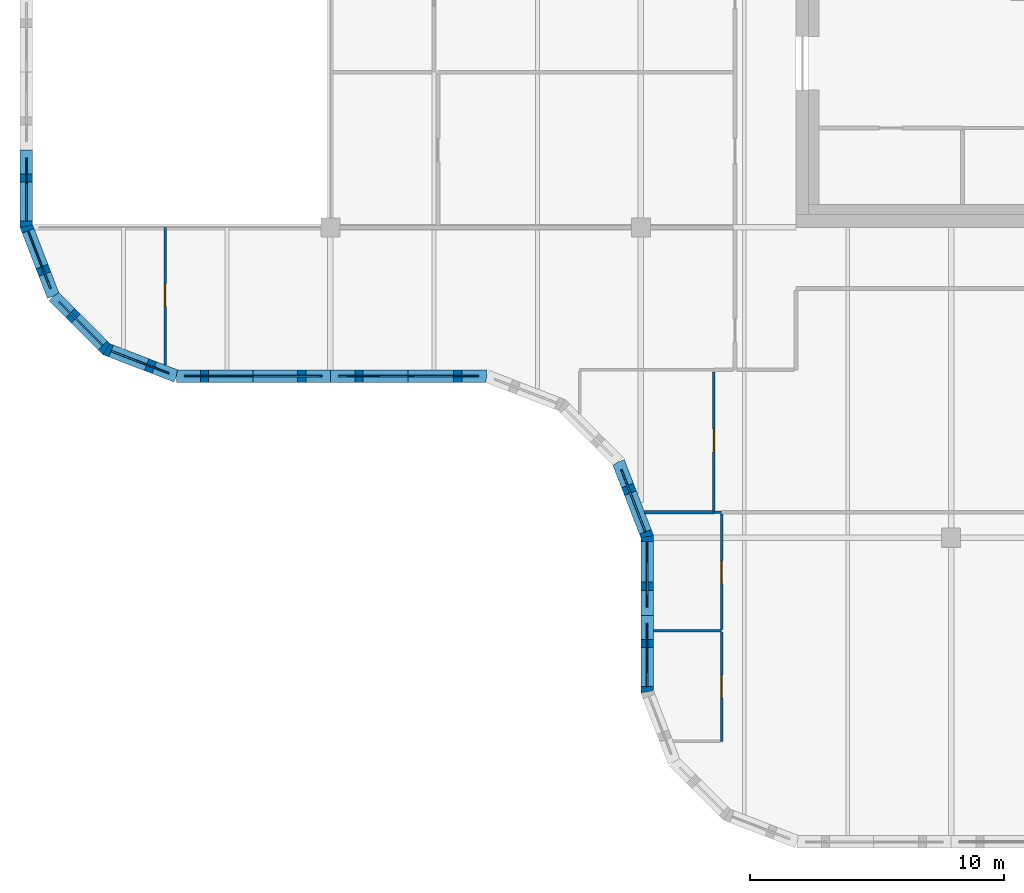
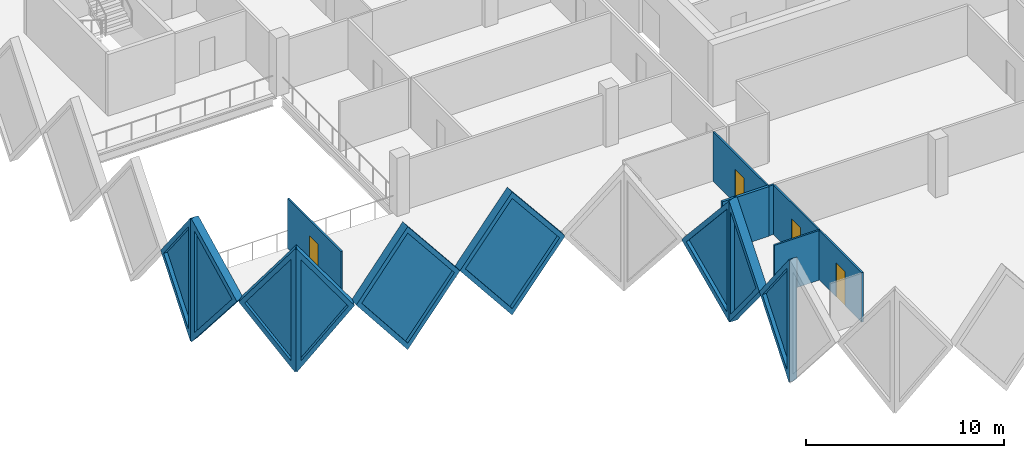
# One storey, part 3 of 12: 16 walls, 9 plates, 4 doors, 13 openings.
"""IFC4 building model written with IfcOpenShell, lengths in metres."""

import ifcopenshell
import ifcopenshell.guid

model = None  # the IFC model being written
_history = None  # IfcOwnerHistory: only IFC2X3 demands one
_inside = {}  # id of a spatial element -> (the spatial element, [elements in it])
_under = {}  # id of a project, library or spatial element -> (it, [spatial elements below it])
_declared = {}  # id of a project -> (the project, [libraries it declares])
_typed = {}  # id of a type object -> (the type object, [elements of that type])
_made_of = {}  # id of a material, layer set ... -> (it, [elements and type objects made of it])


def new_model(schema):
    """Start an empty IFC model of exactly this schema.

    Asked for "IFC4X3", IfcOpenShell would pick the latest addendum, in which some entities
    have other attributes; the version numbers below select the first issue.
    IFC2X3 requires an IfcOwnerHistory on every rooted entity: one is made here for all.
    """
    global model, _history
    if schema == "IFC4X3":
        model = ifcopenshell.file(schema_version=(4, 3, 0, 0))
    else:
        model = ifcopenshell.file(schema=schema)
    _inside.clear()
    _under.clear()
    _declared.clear()
    _typed.clear()
    _made_of.clear()
    _history = None
    if model.schema == "IFC2X3":
        org = make("IfcOrganization", Name="unknown")
        user = make(
            "IfcPersonAndOrganization",
            ThePerson=make("IfcPerson", FamilyName="unknown"),
            TheOrganization=org,
        )
        app = make(
            "IfcApplication",
            ApplicationDeveloper=org,
            Version="unknown",
            ApplicationFullName="unknown",
            ApplicationIdentifier="unknown",
        )
        _history = make(
            "IfcOwnerHistory",
            OwningUser=user,
            OwningApplication=app,
            ChangeAction="ADDED",
            CreationDate=0,
        )
    return model


def make(cls, **values):
    """One entity of the class cls with the attributes given. An attribute that is None is left unset."""
    return model.create_entity(
        cls, **{name: value for name, value in values.items() if value is not None}
    )


def rooted(cls, **values):
    """An entity with a GlobalId (a new one), such as an element, a storey or a relation."""
    return make(cls, GlobalId=ifcopenshell.guid.new(), OwnerHistory=_history, **values)


def si_unit(unit_type, name, prefix=None):
    """IfcSIUnit, for example si_unit("LENGTHUNIT", "METRE", prefix="MILLI")."""
    return make("IfcSIUnit", UnitType=unit_type, Prefix=prefix, Name=name)


def assignment(units):
    """IfcUnitAssignment: the units of a project."""
    return None if units is None else make("IfcUnitAssignment", Units=units)


def point(xyz):
    """IfcCartesianPoint."""
    return None if xyz is None else make("IfcCartesianPoint", Coordinates=xyz)


def direction(xyz):
    """IfcDirection."""
    return None if xyz is None else make("IfcDirection", DirectionRatios=xyz)


def frame(location, z_axis=None, x_axis=None):
    """IfcAxis2Placement3D, a coordinate frame: its origin and axes. An axis left out is left unset."""
    return make(
        "IfcAxis2Placement3D",
        Location=point(location),
        Axis=direction(z_axis),
        RefDirection=direction(x_axis),
    )


def frame_2d(location, x_axis=None):
    """IfcAxis2Placement2D, a coordinate frame in the plane: its origin and x axis."""
    return make(
        "IfcAxis2Placement2D", Location=point(location), RefDirection=direction(x_axis)
    )


def origin():
    """The frame at (0, 0, 0) with its axes left unset."""
    return frame((0.0, 0.0, 0.0))


def place(relative_to, where):
    """IfcLocalPlacement: puts the frame where relative to a parent placement (None: the world)."""
    return make(
        "IfcLocalPlacement", PlacementRelTo=relative_to, RelativePlacement=where
    )


def context(
    kind, dimensions, precision=None, world=None, true_north=None, identifier=None
):
    """IfcGeometricRepresentationContext, for example the 3D "Model" context."""
    return make(
        "IfcGeometricRepresentationContext",
        ContextIdentifier=identifier,
        ContextType=kind,
        CoordinateSpaceDimension=dimensions,
        Precision=precision,
        WorldCoordinateSystem=world,
        TrueNorth=true_north,
    )


def subcontext(parent, identifier, kind, view, scale=None):
    """IfcGeometricRepresentationSubContext, for example "Body" below "Model"."""
    return make(
        "IfcGeometricRepresentationSubContext",
        ContextIdentifier=identifier,
        ContextType=kind,
        ParentContext=parent,
        TargetScale=scale,
        TargetView=view,
    )


def project(units=None, contexts=None):
    """IfcProject with its units and contexts."""
    return rooted(
        "IfcProject",
        Name="project",
        RepresentationContexts=contexts,
        UnitsInContext=assignment(units),
    )


def spatial(cls, under=None, at=None, **own):
    """A site, building, storey or space (cls), placed at a placement, below another one or the project."""
    s = rooted(cls, ObjectPlacement=at, **own)
    if under is not None:
        _under.setdefault(under.id(), (under, []))[1].append(s)
    return s


def polyline(points):
    """IfcPolyline through the points."""
    return make("IfcPolyline", Points=[point(p) for p in points])


def profile(cls, at=None, kind="AREA", **sizes):
    """A parametric profile (cls). Its sizes go by their IFC names, for example OverallWidth=200.0."""
    return make(cls, ProfileType=kind, Position=at, **sizes)


def rectangle(**sizes):
    """IfcRectangleProfileDef."""
    return profile("IfcRectangleProfileDef", **sizes)


def outline(outer, holes=None, kind="AREA"):
    """IfcArbitraryClosedProfileDef: a profile drawn as a closed curve; with holes, ...WithVoids."""
    if holes is None:
        return make("IfcArbitraryClosedProfileDef", ProfileType=kind, OuterCurve=outer)
    return make(
        "IfcArbitraryProfileDefWithVoids",
        ProfileType=kind,
        OuterCurve=outer,
        InnerCurves=holes,
    )


def extrude(swept, where, along, depth):
    """IfcExtrudedAreaSolid: the profile swept, set in the frame where, extruded along a direction by depth."""
    return make(
        "IfcExtrudedAreaSolid",
        SweptArea=swept,
        Position=where,
        ExtrudedDirection=direction(along),
        Depth=depth,
    )


def faces_of(points, faces, orient=None, outer=None):
    """IfcFace entities. A face is a list of loops; a loop is a list of indices into points, from 0.

    orient and outer hold one flag for each loop. By default every Orientation is true, the
    first loop of a face is its IfcFaceOuterBound and the others are IfcFaceBound.
    """
    made = []
    for i, loops in enumerate(faces):
        bounds = []
        for j, loop in enumerate(loops):
            is_outer = j == 0 if outer is None else outer[i][j]
            bounds.append(
                make(
                    "IfcFaceOuterBound" if is_outer else "IfcFaceBound",
                    Bound=make("IfcPolyLoop", Polygon=[points[k] for k in loop]),
                    Orientation=True if orient is None else orient[i][j],
                )
            )
        made.append(make("IfcFace", Bounds=bounds))
    return made


def faceted_brep(points, faces, orient=None, outer=None, voids=None):
    """IfcFacetedBrep: a solid bounded by flat faces; with voids (closed shells), ...WithVoids."""
    shared = [point(p) for p in points]
    hull = make("IfcClosedShell", CfsFaces=faces_of(shared, faces, orient, outer))
    if voids is None:
        return make("IfcFacetedBrep", Outer=hull)
    return make(
        "IfcFacetedBrepWithVoids",
        Outer=hull,
        Voids=[
            make(cls, CfsFaces=faces_of(shared, fs, o, b)) for cls, fs, o, b in voids
        ],
    )


def shape(context_of_items, identifier, shape_type, items):
    """IfcShapeRepresentation: the items that make up one representation, for example the "Body"."""
    return make(
        "IfcShapeRepresentation",
        ContextOfItems=context_of_items,
        RepresentationIdentifier=identifier,
        RepresentationType=shape_type,
        Items=items,
    )


def source(mapping_origin, context_of_items, identifier, shape_type, items):
    """IfcRepresentationMap: a shape defined once, which mapped items show again and again."""
    return make(
        "IfcRepresentationMap",
        MappingOrigin=mapping_origin,
        MappedRepresentation=shape(context_of_items, identifier, shape_type, items),
    )


def transform(
    local_origin,
    x_axis=None,
    y_axis=None,
    z_axis=None,
    scale=None,
    scale2=None,
    scale3=None,
    uniform=True,
):
    """IfcCartesianTransformationOperator3D, or its non-uniform kind. x_axis, y_axis, z_axis: its Axis1, 2, 3."""
    if uniform:
        return make(
            "IfcCartesianTransformationOperator3D",
            Axis1=direction(x_axis),
            Axis2=direction(y_axis),
            LocalOrigin=point(local_origin),
            Scale=scale,
            Axis3=direction(z_axis),
        )
    return make(
        "IfcCartesianTransformationOperator3DnonUniform",
        Axis1=direction(x_axis),
        Axis2=direction(y_axis),
        LocalOrigin=point(local_origin),
        Scale=scale,
        Axis3=direction(z_axis),
        Scale2=scale2,
        Scale3=scale3,
    )


def mapped(mapping_source, mapping_target):
    """IfcMappedItem: shows the shape of a source again, moved by a transform."""
    return make(
        "IfcMappedItem", MappingSource=mapping_source, MappingTarget=mapping_target
    )


def material(Name=None, Category=None):
    """IfcMaterial."""
    return make("IfcMaterial", Name=Name, Category=Category)


def layer(
    of_material, thickness, ventilated=None, Name=None, Category=None, Priority=None
):
    """IfcMaterialLayer: one layer of a wall or slab, of a material (None: an air gap)."""
    return make(
        "IfcMaterialLayer",
        Material=of_material,
        LayerThickness=thickness,
        IsVentilated=ventilated,
        Name=Name,
        Category=Category,
        Priority=Priority,
    )


def layer_set(layers, Name=None):
    """IfcMaterialLayerSet."""
    return make("IfcMaterialLayerSet", MaterialLayers=layers, LayerSetName=Name)


def made_of(thing, what):
    """Note that an element or type object is made of a material, layer set ...; save() writes the relation."""
    if what is not None:
        _made_of.setdefault(what.id(), (what, []))[1].append(thing)
    return thing


def type_object(cls, material=None, **own):
    """A type object (cls), such as IfcWallType, which elements share."""
    return made_of(rooted(cls, **own), material)


def element(
    cls,
    number,
    at=None,
    inside=None,
    cuts=None,
    type_object=None,
    material=None,
    context=None,
    identifier="Body",
    shape_type=None,
    held_by="IfcProductDefinitionShape",
    body=None,
    shapes=None,
    **own,
):
    """One element of the class cls, such as IfcWall. Its Tag is "e" and its number.

    at: its placement. inside: the storey or other place that contains it. cuts: it is an
    opening in that element (IfcRelVoidsElement). A single representation is given by context,
    identifier, shape_type and body (its items); several are given by shapes. held_by: the class
    of the entity that holds the representations. save() writes the other relations.
    """
    e = rooted(cls, Tag="e%d" % number, ObjectPlacement=at, **own)
    if body is not None:
        shapes = [shape(context, identifier, shape_type, body)]
    if shapes is not None:
        e.Representation = make(held_by, Representations=shapes)
    if inside is not None:
        _inside.setdefault(inside.id(), (inside, []))[1].append(e)
    if cuts is not None:
        rooted(
            "IfcRelVoidsElement", RelatingBuildingElement=cuts, RelatedOpeningElement=e
        )
    if type_object is not None:
        _typed.setdefault(type_object.id(), (type_object, []))[1].append(e)
    return made_of(e, material)


def fill(opening, filler):
    """IfcRelFillsElement: the door or window that sits in an opening."""
    return rooted(
        "IfcRelFillsElement",
        RelatingOpeningElement=opening,
        RelatedBuildingElement=filler,
    )


def aggregate(whole, parts):
    """IfcRelAggregates: a whole, such as a stair, and the parts it consists of."""
    return rooted("IfcRelAggregates", RelatingObject=whole, RelatedObjects=parts)


def save(model, path):
    """Write the relations noted so far, then the file.

    IfcRelAggregates (storeys below a building ...), IfcRelContainedInSpatialStructure (elements
    in a storey), IfcRelDefinesByType, IfcRelAssociatesMaterial and IfcRelDeclares: one each for
    every whole, place, type object, material and project.
    """
    for whole, parts in _under.values():
        aggregate(whole, parts)
    for where, things in _inside.values():
        rooted(
            "IfcRelContainedInSpatialStructure",
            RelatedElements=things,
            RelatingStructure=where,
        )
    for kind, things in _typed.values():
        rooted("IfcRelDefinesByType", RelatedObjects=things, RelatingType=kind)
    for what, things in _made_of.values():
        rooted("IfcRelAssociatesMaterial", RelatedObjects=things, RelatingMaterial=what)
    for by, libraries in _declared.values():
        rooted("IfcRelDeclares", RelatingContext=by, RelatedDefinitions=libraries)
    model.write(path)


model = new_model("IFC4")

# Units and contexts
model_context = context("Model", 3, precision=1e-05, world=origin(), true_north=direction((0.0, 1.0)))
body_context = subcontext(model_context, "Body", "Model", "MODEL_VIEW")
ifc_project = project(units=[si_unit("LENGTHUNIT", "METRE"), si_unit("AREAUNIT", "SQUARE_METRE"), si_unit("VOLUMEUNIT", "CUBIC_METRE"), si_unit("PLANEANGLEUNIT", "RADIAN"), si_unit("MASSUNIT", "GRAM", prefix="KILO")], contexts=[model_context])

# Site, building, storey
site_placement = place(None, origin())
site = spatial("IfcSite", under=ifc_project, at=site_placement, CompositionType="ELEMENT")
building_placement = place(site_placement, origin())
building = spatial("IfcBuilding", under=site, at=building_placement, Name="Tessera Gate Towers", CompositionType="ELEMENT")
storey_placement = place(building_placement, frame((0.0, 0.0, 216.89990234375)))
storey = spatial("IfcBuildingStorey", under=building, at=storey_placement, Name="L54", CompositionType="ELEMENT", Elevation=216.89990234375)

# Wall, opening, door
ifc_material_1 = material(Name="Glass", Category="glass")
ifc_layer_1 = layer(ifc_material_1, 0.10009765625)
ifc_layer_set_1 = layer_set([ifc_layer_1], Name="GLAZED PARTITION 100")
wall_type_1 = type_object("IfcWallType", Name="GLAZED PARTITION 100", PredefinedType="PARTITIONING", material=ifc_layer_set_1)
wall_1_placement = place(storey_placement, frame((27.574951171875, 4.199951171875, 0.0), z_axis=(0.0, 0.0, 1.0), x_axis=(0.0, 1.0, 0.0)))
wall_1 = element("IfcWall", 1, at=wall_1_placement, inside=storey, type_object=wall_type_1, Name="T1-L54-PW-004", PredefinedType="PARTITIONING", context=body_context, shape_type="SweptSolid", body=[
    extrude(rectangle(XDim=4.296875, YDim=0.10009765625, at=frame_2d((2.1484375, 0.0))), origin(), (0.0, 0.0, 1.0), 3.067138671875),
])
shared_shape_1 = source(origin(), body_context, "Body", "SweptSolid", [
    extrude(rectangle(XDim=0.89990234375, YDim=2.10009765625, at=frame_2d((0.449951171875, 1.050048828125))), frame((0.0, 0.06005859375, 0.0), z_axis=(0.0, -1.0, 0.0), x_axis=(1.0, 0.0, 0.0)), (0.0, 0.0, 1.0), 0.1201171875),
])
opening_1_placement = place(wall_1_placement, frame((1.699951171875, 0.0, 0.0)))
opening_1 = element("IfcOpeningElement", 2, at=opening_1_placement, cuts=wall_1, Name="Opening D690-A19-05", PredefinedType="OPENING", context=body_context, shape_type="MappedRepresentation", body=[
    mapped(shared_shape_1, transform((0.0, 0.0, 0.0), scale=1.0)),
])
ifc_material_2 = material(Name="Glass in aluminium frame", Category="aluminium")
door_type = type_object("IfcDoorType", Name="GLAZED DOOR 900 NOT RATED", OperationType="NOTDEFINED", PredefinedType="DOOR", material=ifc_material_2)
shared_shape_2 = source(origin(), body_context, "Body", "SweptSolid", [
    extrude(rectangle(XDim=0.89990234375, YDim=2.10009765625, at=frame_2d((0.449951171875, 1.050048828125))), frame((0.0, 0.02490234375, 0.0), z_axis=(0.0, -1.0, 0.0), x_axis=(1.0, 0.0, 0.0)), (0.0, 0.0, 1.0), 0.050048828125),
])
door_1_placement = place(opening_1_placement, origin())
door_1 = element("IfcDoor", 3, at=door_1_placement, inside=storey, type_object=door_type, Name="T1-L54-PD-015", OperationType="SINGLE_SWING_LEFT", OverallHeight=2.10009765625, OverallWidth=0.89990234375, PredefinedType="DOOR", context=body_context, shape_type="MappedRepresentation", body=[
    mapped(shared_shape_2, transform((0.0, 0.0, 0.0), scale=1.0)),
])
fill(opening_1, door_1)

wall_2_placement = place(storey_placement, frame((27.574951171875, 8.598876953125, 0.0), z_axis=(0.0, 0.0, 1.0), x_axis=(0.0, 1.0, 0.0)))
wall_2 = element("IfcWall", 4, at=wall_2_placement, inside=storey, type_object=wall_type_1, Name="T1-L54-PW-009", PredefinedType="PARTITIONING", context=body_context, shape_type="SweptSolid", body=[
    extrude(rectangle(XDim=4.525146484375, YDim=0.10009765625, at=frame_2d((2.2626953125, 0.0))), origin(), (0.0, 0.0, 1.0), 3.067138671875),
])
opening_2_placement = place(wall_2_placement, frame((1.800048828125, 0.0, 0.0)))
opening_2 = element("IfcOpeningElement", 5, at=opening_2_placement, cuts=wall_2, Name="Opening D690-A19-01", PredefinedType="OPENING", context=body_context, shape_type="MappedRepresentation", body=[
    mapped(shared_shape_1, transform((0.0, 0.0, 0.0), scale=1.0)),
])
door_2_placement = place(opening_2_placement, origin())
door_2 = element("IfcDoor", 6, at=door_2_placement, inside=storey, type_object=door_type, Name="T1-L54-PD-003", OperationType="SINGLE_SWING_LEFT", OverallHeight=2.10009765625, OverallWidth=0.89990234375, PredefinedType="DOOR", context=body_context, shape_type="MappedRepresentation", body=[
    mapped(shared_shape_2, transform((0.0, 0.0, 0.0), scale=1.0)),
])
fill(opening_2, door_2)

# Wall
wall_3_placement = place(storey_placement, frame((27.27587890625, 13.199951171875, 0.0), z_axis=(0.0, 0.0, 1.0), x_axis=(1.0, 0.0, 0.0)))
element("IfcWall", 7, at=wall_3_placement, inside=storey, type_object=wall_type_1, Name="T1-L54-PW-014", PredefinedType="PARTITIONING", context=body_context, shape_type="SweptSolid", body=[
    extrude(rectangle(XDim=0.298095703125, YDim=0.10009765625, at=frame_2d((0.14892578125, 0.0))), origin(), (0.0, 0.0, 1.0), 3.067138671875),
])

# Wall, opening, door
wall_4_placement = place(storey_placement, frame((27.27490234375, 13.27587890625, 0.0), z_axis=(0.0, 0.0, 1.0), x_axis=(0.0, 1.0, 0.0)))
wall_4 = element("IfcWall", 8, at=wall_4_placement, inside=storey, type_object=wall_type_1, Name="T1-L54-PW-016", PredefinedType="PARTITIONING", context=body_context, shape_type="SweptSolid", body=[
    extrude(rectangle(XDim=5.4482421875, YDim=0.10009765625, at=frame_2d((2.72412109375, 0.0))), origin(), (0.0, 0.0, 1.0), 3.067138671875),
])
opening_3_placement = place(wall_4_placement, frame((2.300048828125, 0.0, 0.0)))
opening_3 = element("IfcOpeningElement", 9, at=opening_3_placement, cuts=wall_4, Name="Opening D690-A19-04", PredefinedType="OPENING", context=body_context, shape_type="MappedRepresentation", body=[
    mapped(shared_shape_1, transform((0.0, 0.0, 0.0), scale=1.0)),
])
door_3_placement = place(opening_3_placement, origin())
door_3 = element("IfcDoor", 10, at=door_3_placement, inside=storey, type_object=door_type, Name="T1-L54-PD-010", OperationType="SINGLE_SWING_LEFT", OverallHeight=2.10009765625, OverallWidth=0.89990234375, PredefinedType="DOOR", context=body_context, shape_type="MappedRepresentation", body=[
    mapped(shared_shape_2, transform((0.0, 0.0, 0.0), scale=1.0)),
])
fill(opening_3, door_3)

wall_5_placement = place(storey_placement, frame((5.699951171875, 18.990234375, 0.0), z_axis=(0.0, 0.0, 1.0), x_axis=(0.0, 1.0, 0.0)))
wall_5 = element("IfcWall", 11, at=wall_5_placement, inside=storey, type_object=wall_type_1, Name="T1-L54-PW-027", PredefinedType="PARTITIONING", context=body_context, shape_type="SweptSolid", body=[
    extrude(rectangle(XDim=5.40966796875, YDim=0.10009765625, at=frame_2d((2.704833984375, 0.0))), origin(), (0.0, 0.0, 1.0), 3.067138671875),
])
opening_4_placement = place(wall_5_placement, frame((2.300048828125, 0.0, 0.0)))
opening_4 = element("IfcOpeningElement", 12, at=opening_4_placement, cuts=wall_5, Name="Opening D690-A19-03", PredefinedType="OPENING", context=body_context, shape_type="MappedRepresentation", body=[
    mapped(shared_shape_1, transform((0.0, 0.0, 0.0), scale=1.0)),
])
door_4_placement = place(opening_4_placement, origin())
door_4 = element("IfcDoor", 13, at=door_4_placement, inside=storey, type_object=door_type, Name="T1-L54-PD-009", OperationType="SINGLE_SWING_LEFT", OverallHeight=2.10009765625, OverallWidth=0.89990234375, PredefinedType="DOOR", context=body_context, shape_type="MappedRepresentation", body=[
    mapped(shared_shape_2, transform((0.0, 0.0, 0.0), scale=1.0)),
])
fill(opening_4, door_4)

# Walls
ifc_material_3 = material(Name="Gypsum board on steel studs", Category="steel")
ifc_layer_2 = layer(ifc_material_3, 0.10009765625)
ifc_layer_set_2 = layer_set([ifc_layer_2], Name="PARTITION 100")
wall_type_2 = type_object("IfcWallType", Name="PARTITION 100", PredefinedType="PARTITIONING", material=ifc_layer_set_2)
wall_6_placement = place(storey_placement, frame((24.89990234375, 8.548095703125, 0.0), z_axis=(0.0, 0.0, 1.0), x_axis=(1.0, 0.0, 0.0)))
element("IfcWall", 14, at=wall_6_placement, inside=storey, type_object=wall_type_2, Name="T1-L54-PW-008", PredefinedType="PARTITIONING", context=body_context, shape_type="SweptSolid", body=[
    extrude(rectangle(XDim=2.675048828125, YDim=0.10009765625, at=frame_2d((1.33740234375, 0.0))), origin(), (0.0, 0.0, 1.0), 3.067138671875),
])
ifc_material_4 = material(Name="Gypsum board on steel studs, mineral wool", Category="steel")
ifc_layer_3 = layer(ifc_material_4, 0.14990234375)
ifc_layer_set_3 = layer_set([ifc_layer_3], Name="TENANCY WALL 150")
wall_type_3 = type_object("IfcWallType", Name="TENANCY WALL 150", PredefinedType="PARTITIONING", material=ifc_layer_set_3)
wall_7_placement = place(storey_placement, frame((24.55029296875, 13.199951171875, 0.0), z_axis=(0.0, 0.0, 1.0), x_axis=(1.0, 0.0, 0.0)))
element("IfcWall", 15, at=wall_7_placement, inside=storey, type_object=wall_type_3, Name="T1-L54-PW-013", PredefinedType="PARTITIONING", context=body_context, shape_type="SweptSolid", body=[
    extrude(rectangle(XDim=2.724609375, YDim=0.14990234375, at=frame_2d((1.3623046875, 0.0))), origin(), (0.0, 0.0, 1.0), 3.067138671875),
])

# Wall, opening, plate
ifc_material_5 = material(Name="Precast concrete C60/75 white", Category="concrete")
ifc_layer_4 = layer(ifc_material_5, 0.5)
ifc_layer_set_4 = layer_set([ifc_layer_4], Name="TS3 corner tessera")
wall_type_4 = type_object("IfcWallType", Name="TS3 corner tessera", PredefinedType="SOLIDWALL", material=ifc_layer_set_4)
shared_shape_3 = source(origin(), body_context, "Body", "Brep", [
    faceted_brep([(3.00341796875, -0.25, 0.0), (3.050048828125, -0.25, 0.06005859375), (3.050048828125, -0.25, 7.539794921875), (3.00341796875, -0.25, 7.599853515625), (0.0, -0.25, 3.7998046875), (0.0, 0.25, 3.7998046875), (2.956787109375, 0.25, 7.541015625), (2.956787109375, 0.25, 0.058837890625), (3.00341796875, 0.000244140625, 0.0), (3.00341796875, 0.000244140625, 7.599853515625)], [[[0, 1, 2, 3, 4]], [[5, 6, 7]], [[1, 0, 8]], [[9, 3, 2]], [[6, 5, 4, 3, 9]], [[5, 7, 8, 0, 4]], [[1, 8, 7, 6, 9, 2]]]),
])
wall_8_placement = place(storey_placement, frame((0.25, 27.449951171875, -3.7998046875), z_axis=(0.0, 0.0, 1.0), x_axis=(0.0, -1.0, 0.0)))
wall_8 = element("IfcWall", 16, at=wall_8_placement, inside=storey, type_object=wall_type_4, Name="Precast corner tessera T1 TS3-1261", PredefinedType="SOLIDWALL", context=body_context, shape_type="MappedRepresentation", body=[
    mapped(shared_shape_3, transform((0.0, 0.0, 0.0), scale=1.0)),
])
shared_shape_4 = source(origin(), body_context, "Body", "SweptSolid", [
    extrude(outline(polyline([(2.803466796875, 6.943603515625), (0.318603515625, 3.7998046875), (2.803466796875, 0.656005859375), (2.803466796875, 6.943603515625)])), frame((0.0, 0.260009765625, 0.0), z_axis=(0.0, -1.0, 0.0), x_axis=(1.0, 0.0, 0.0)), (0.0, 0.0, 1.0), 0.52001953125),
])
opening_5_placement = place(wall_8_placement, origin())
opening_5 = element("IfcOpeningElement", 17, at=opening_5_placement, cuts=wall_8, Name="Opening T1-PL2-1960", PredefinedType="OPENING", context=body_context, shape_type="MappedRepresentation", body=[
    mapped(shared_shape_4, transform((0.0, 0.0, 0.0), scale=1.0)),
])
ifc_material_6 = material(Name="Low-e laminated glass", Category="glass")
ifc_layer_5 = layer(ifc_material_6, 0.06005859375)
ifc_layer_set_5 = layer_set([ifc_layer_5], Name="PL2 rhombic pane")
plate_type = type_object("IfcPlateType", Name="PL2 rhombic pane", PredefinedType="SHEET", material=ifc_layer_set_5)
shared_shape_5 = source(origin(), body_context, "Body", "SweptSolid", [
    extrude(outline(polyline([(2.803466796875, 6.943603515625), (0.318603515625, 3.7998046875), (2.803466796875, 0.656005859375), (2.803466796875, 6.943603515625)])), frame((0.0, 0.030029296875, 0.0), z_axis=(0.0, -1.0, 0.0), x_axis=(1.0, 0.0, 0.0)), (0.0, 0.0, 1.0), 0.06005859375),
])
plate_1_placement = place(opening_5_placement, origin())
plate_1 = element("IfcPlate", 18, at=plate_1_placement, inside=storey, type_object=plate_type, Name="Glass pane T1 PL2-1960", PredefinedType="SHEET", context=body_context, shape_type="MappedRepresentation", body=[
    mapped(shared_shape_5, transform((0.0, 0.0, 0.0), scale=1.0)),
])
fill(opening_5, plate_1)

wall_9_placement = place(storey_placement, frame((24.64990234375, 9.14990234375, -3.7998046875), z_axis=(0.0, 0.0, 1.0), x_axis=(0.0, -1.0, 0.0)))
wall_9 = element("IfcWall", 19, at=wall_9_placement, inside=storey, type_object=wall_type_4, Name="Precast corner tessera T1 TS3-1269", PredefinedType="SOLIDWALL", context=body_context, shape_type="MappedRepresentation", body=[
    mapped(shared_shape_3, transform((0.0, 0.0, 0.0), scale=1.0)),
])
opening_6_placement = place(wall_9_placement, origin())
opening_6 = element("IfcOpeningElement", 20, at=opening_6_placement, cuts=wall_9, Name="Opening T1-PL2-1970", PredefinedType="OPENING", context=body_context, shape_type="MappedRepresentation", body=[
    mapped(shared_shape_4, transform((0.0, 0.0, 0.0), scale=1.0)),
])
plate_2_placement = place(opening_6_placement, origin())
plate_2 = element("IfcPlate", 21, at=plate_2_placement, inside=storey, type_object=plate_type, Name="Glass pane T1 PL2-1970", PredefinedType="SHEET", context=body_context, shape_type="MappedRepresentation", body=[
    mapped(shared_shape_5, transform((0.0, 0.0, 0.0), scale=1.0)),
])
fill(opening_6, plate_2)

shared_shape_6 = source(origin(), body_context, "Body", "Brep", [
    faceted_brep([(0.046630859375, -0.25, 0.0), (2.9970703125, -0.25, 3.7998046875), (0.046630859375, -0.25, 7.599853515625), (0.0, -0.25, 7.541015625), (0.0, -0.25, 0.058837890625), (0.09326171875, 0.25, 7.539794921875), (2.9443359375, 0.25, 3.867919921875), (2.9443359375, 0.25, 3.731689453125), (0.09326171875, 0.25, 0.06005859375), (2.9970703125, 0.00048828125, 3.7998046875), (0.046630859375, 0.0, 0.0), (0.046630859375, 0.0, 7.599853515625)], [[[0, 1, 2, 3, 4]], [[5, 6, 7, 8]], [[8, 7, 9, 1, 0, 10]], [[6, 5, 11, 2, 1, 9]], [[3, 2, 11]], [[10, 0, 4]], [[8, 10, 4, 3, 11, 5]], [[9, 7, 6]]]),
])
wall_10_placement = place(storey_placement, frame((0.233154296875, 24.489990234375, -3.7998046875), z_axis=(0.0, 0.0, 1.0), x_axis=(0.359901446078, -0.932990326376, 0.0)))
wall_10 = element("IfcWall", 22, at=wall_10_placement, inside=storey, type_object=wall_type_4, Name="Precast corner tessera T1 TS3-1262", PredefinedType="SOLIDWALL", context=body_context, shape_type="MappedRepresentation", body=[
    mapped(shared_shape_6, transform((0.0, 0.0, 0.0), scale=1.0)),
])
shared_shape_7 = source(origin(), body_context, "Body", "SweptSolid", [
    extrude(outline(polyline([(0.24658203125, 0.6650390625), (2.6806640625, 3.7998046875), (0.24658203125, 6.9345703125), (0.24658203125, 0.6650390625)])), frame((0.0, 0.260009765625, 0.0), z_axis=(0.0, -1.0, 0.0), x_axis=(1.0, 0.0, 0.0)), (0.0, 0.0, 1.0), 0.52001953125),
])
opening_7_placement = place(wall_10_placement, origin())
opening_7 = element("IfcOpeningElement", 23, at=opening_7_placement, cuts=wall_10, Name="Opening T1-PL2-1961", PredefinedType="OPENING", context=body_context, shape_type="MappedRepresentation", body=[
    mapped(shared_shape_7, transform((0.0, 0.0, 0.0), scale=1.0)),
])
shared_shape_8 = source(origin(), body_context, "Body", "SweptSolid", [
    extrude(outline(polyline([(0.24658203125, 0.6650390625), (2.6806640625, 3.7998046875), (0.24658203125, 6.9345703125), (0.24658203125, 0.6650390625)])), frame((0.0, 0.030029296875, 0.0), z_axis=(0.0, -1.0, 0.0), x_axis=(1.0, 0.0, 0.0)), (0.0, 0.0, 1.0), 0.06005859375),
])
plate_3_placement = place(opening_7_placement, origin())
plate_3 = element("IfcPlate", 24, at=plate_3_placement, inside=storey, type_object=plate_type, Name="Glass pane T1 PL2-1961", PredefinedType="SHEET", context=body_context, shape_type="MappedRepresentation", body=[
    mapped(shared_shape_8, transform((0.0, 0.0, 0.0), scale=1.0)),
])
fill(opening_7, plate_3)

shared_shape_9 = source(origin(), body_context, "Body", "Brep", [
    faceted_brep([(2.944091796875, -0.25, 0.0), (2.9970703125, -0.25, 0.068115234375), (2.9970703125, -0.25, 7.53173828125), (2.944091796875, -0.25, 7.599853515625), (0.0, -0.25, 3.7998046875), (0.052978515625, 0.25, 3.8681640625), (2.89111328125, 0.25, 7.53173828125), (2.89111328125, 0.25, 0.068115234375), (0.052978515625, 0.25, 3.7314453125), (2.944091796875, 0.000244140625, 0.0), (2.944091796875, 0.000244140625, 7.599853515625), (0.0, 0.0, 3.7998046875)], [[[0, 1, 2, 3, 4]], [[5, 6, 7, 8]], [[1, 0, 9]], [[10, 3, 2]], [[6, 5, 11, 4, 3, 10]], [[8, 7, 9, 0, 4, 11]], [[8, 11, 5]], [[1, 9, 7, 6, 10, 2]]]),
])
wall_11_placement = place(storey_placement, frame((1.31201171875, 21.69384765625, -3.7998046875), z_axis=(0.0, 0.0, 1.0), x_axis=(0.707066050402, -0.707147509625, 0.0)))
wall_11 = element("IfcWall", 25, at=wall_11_placement, inside=storey, type_object=wall_type_4, Name="Precast corner tessera T1 TS3-1263", PredefinedType="SOLIDWALL", context=body_context, shape_type="MappedRepresentation", body=[
    mapped(shared_shape_9, transform((0.0, 0.0, 0.0), scale=1.0)),
])
shared_shape_10 = source(origin(), body_context, "Body", "SweptSolid", [
    extrude(outline(polyline([(2.744140625, 6.93359375), (0.316162109375, 3.7998046875), (2.744140625, 0.666259765625), (2.744140625, 6.93359375)])), frame((0.0, 0.260009765625, 0.0), z_axis=(0.0, -1.0, 0.0), x_axis=(1.0, 0.0, 0.0)), (0.0, 0.0, 1.0), 0.52001953125),
])
opening_8_placement = place(wall_11_placement, origin())
opening_8 = element("IfcOpeningElement", 26, at=opening_8_placement, cuts=wall_11, Name="Opening T1-PL2-1962", PredefinedType="OPENING", context=body_context, shape_type="MappedRepresentation", body=[
    mapped(shared_shape_10, transform((0.0, 0.0, 0.0), scale=1.0)),
])
shared_shape_11 = source(origin(), body_context, "Body", "SweptSolid", [
    extrude(outline(polyline([(2.744140625, 6.93359375), (0.316162109375, 3.7998046875), (2.744140625, 0.666259765625), (2.744140625, 6.93359375)])), frame((0.0, 0.030029296875, 0.0), z_axis=(0.0, -1.0, 0.0), x_axis=(1.0, 0.0, 0.0)), (0.0, 0.0, 1.0), 0.06005859375),
])
plate_4_placement = place(opening_8_placement, origin())
plate_4 = element("IfcPlate", 27, at=plate_4_placement, inside=storey, type_object=plate_type, Name="Glass pane T1 PL2-1962", PredefinedType="SHEET", context=body_context, shape_type="MappedRepresentation", body=[
    mapped(shared_shape_11, transform((0.0, 0.0, 0.0), scale=1.0)),
])
fill(opening_8, plate_4)

ifc_material_7 = material(Name="Precast concrete C60/75 white", Category="concrete")
ifc_layer_6 = layer(ifc_material_7, 0.5)
ifc_layer_set_6 = layer_set([ifc_layer_6], Name="TS1 tessera")
wall_type_5 = type_object("IfcWallType", Name="TS1 tessera", PredefinedType="SOLIDWALL", material=ifc_layer_set_6)
shared_shape_12 = source(origin(), body_context, "Body", "Brep", [
    faceted_brep([(3.00341796875, -0.25, 0.0), (6.053466796875, -0.25, 3.7998046875), (3.00341796875, -0.25, 7.599853515625), (0.0, -0.25, 3.7998046875), (0.046630859375, 0.25, 3.858642578125), (3.00341796875, 0.25, 7.599853515625), (6.053466796875, 0.25, 3.7998046875), (3.00341796875, 0.25, 0.0), (0.046630859375, 0.25, 3.740966796875), (0.0, 0.0, 3.7998046875)], [[[0, 1, 2, 3]], [[4, 5, 6, 7, 8]], [[7, 6, 1, 0]], [[6, 5, 2, 1]], [[5, 4, 9, 3, 2]], [[8, 7, 0, 3, 9]], [[8, 9, 4]]]),
])
wall_12_placement = place(storey_placement, frame((6.146484375, 18.550048828125, -3.7998046875), z_axis=(0.0, 0.0, 1.0), x_axis=(1.0, 0.0, 0.0)))
wall_12 = element("IfcWall", 28, at=wall_12_placement, inside=storey, type_object=wall_type_5, Name="Precast tessera T1 TS1-0964", PredefinedType="SOLIDWALL", context=body_context, shape_type="MappedRepresentation", body=[
    mapped(shared_shape_12, transform((0.0, 0.0, 0.0), scale=1.0)),
])
shared_shape_13 = source(origin(), body_context, "Body", "SweptSolid", [
    extrude(outline(polyline([(3.0048828125, 0.401123046875), (5.73291015625, 3.7998046875), (3.0048828125, 7.19873046875), (0.318603515625, 3.7998046875), (3.0048828125, 0.401123046875)])), frame((0.0, 0.260009765625, 0.0), z_axis=(0.0, -1.0, 0.0), x_axis=(1.0, 0.0, 0.0)), (0.0, 0.0, 1.0), 0.52001953125),
])
opening_9_placement = place(wall_12_placement, origin())
opening_9 = element("IfcOpeningElement", 29, at=opening_9_placement, cuts=wall_12, Name="Opening T1-PL2-1964", PredefinedType="OPENING", context=body_context, shape_type="MappedRepresentation", body=[
    mapped(shared_shape_13, transform((0.0, 0.0, 0.0), scale=1.0)),
])
shared_shape_14 = source(origin(), body_context, "Body", "SweptSolid", [
    extrude(outline(polyline([(3.0048828125, 0.401123046875), (5.73291015625, 3.7998046875), (3.0048828125, 7.19873046875), (0.318603515625, 3.7998046875), (3.0048828125, 0.401123046875)])), frame((0.0, 0.030029296875, 0.0), z_axis=(0.0, -1.0, 0.0), x_axis=(1.0, 0.0, 0.0)), (0.0, 0.0, 1.0), 0.06005859375),
])
plate_5_placement = place(opening_9_placement, origin())
plate_5 = element("IfcPlate", 30, at=plate_5_placement, inside=storey, type_object=plate_type, Name="Glass pane T1 PL2-1964", PredefinedType="SHEET", context=body_context, shape_type="MappedRepresentation", body=[
    mapped(shared_shape_14, transform((0.0, 0.0, 0.0), scale=1.0)),
])
fill(opening_9, plate_5)

shared_shape_15 = source(origin(), body_context, "Body", "Brep", [
    faceted_brep([(0.052978515625, -0.25, 0.0), (3.00341796875, -0.25, 3.7998046875), (0.052978515625, -0.25, 7.599853515625), (0.0, -0.25, 7.531494140625), (0.0, -0.25, 0.068359375), (0.10595703125, 0.25, 7.53173828125), (2.95703125, 0.25, 3.859619140625), (2.95703125, 0.25, 3.739990234375), (0.10595703125, 0.25, 0.068115234375), (3.00341796875, 0.00048828125, 3.7998046875), (0.052978515625, 0.0, 0.0), (0.052978515625, 0.0, 7.599853515625)], [[[0, 1, 2, 3, 4]], [[5, 6, 7, 8]], [[8, 7, 9, 1, 0, 10]], [[6, 5, 11, 2, 1, 9]], [[3, 2, 11]], [[10, 0, 4]], [[8, 10, 4, 3, 11, 5]], [[9, 7, 6]]]),
])
wall_13_placement = place(storey_placement, frame((3.34423828125, 19.630859375, -3.7998046875), z_axis=(0.0, 0.0, 1.0), x_axis=(0.933007896601, -0.359855894603, 0.0)))
wall_13 = element("IfcWall", 31, at=wall_13_placement, inside=storey, type_object=wall_type_4, Name="Precast corner tessera T1 TS3-1264", PredefinedType="SOLIDWALL", context=body_context, shape_type="MappedRepresentation", body=[
    mapped(shared_shape_15, transform((0.0, 0.0, 0.0), scale=1.0)),
])
shared_shape_16 = source(origin(), body_context, "Body", "SweptSolid", [
    extrude(outline(polyline([(0.2529296875, 0.6650390625), (2.68701171875, 3.7998046875), (0.2529296875, 6.9345703125), (0.2529296875, 0.6650390625)])), frame((0.0, 0.260009765625, 0.0), z_axis=(0.0, -1.0, 0.0), x_axis=(1.0, 0.0, 0.0)), (0.0, 0.0, 1.0), 0.52001953125),
])
opening_10_placement = place(wall_13_placement, origin())
opening_10 = element("IfcOpeningElement", 32, at=opening_10_placement, cuts=wall_13, Name="Opening T1-PL2-1963", PredefinedType="OPENING", context=body_context, shape_type="MappedRepresentation", body=[
    mapped(shared_shape_16, transform((0.0, 0.0, 0.0), scale=1.0)),
])
shared_shape_17 = source(origin(), body_context, "Body", "SweptSolid", [
    extrude(outline(polyline([(0.2529296875, 0.6650390625), (2.68701171875, 3.7998046875), (0.2529296875, 6.9345703125), (0.2529296875, 0.6650390625)])), frame((0.0, 0.030029296875, 0.0), z_axis=(0.0, -1.0, 0.0), x_axis=(1.0, 0.0, 0.0)), (0.0, 0.0, 1.0), 0.06005859375),
])
plate_6_placement = place(opening_10_placement, origin())
plate_6 = element("IfcPlate", 33, at=plate_6_placement, inside=storey, type_object=plate_type, Name="Glass pane T1 PL2-1963", PredefinedType="SHEET", context=body_context, shape_type="MappedRepresentation", body=[
    mapped(shared_shape_17, transform((0.0, 0.0, 0.0), scale=1.0)),
])
fill(opening_10, plate_6)

shared_shape_18 = source(origin(), body_context, "Body", "Brep", [
    faceted_brep([(3.050048828125, -0.25, 0.0), (6.10009765625, -0.25, 3.74267578125), (6.10009765625, -0.25, 3.85693359375), (3.050048828125, -0.25, 7.599853515625), (0.0, -0.25, 3.7998046875), (0.0, 0.25, 3.7998046875), (3.050048828125, 0.25, 7.599853515625), (6.146484375, 0.25, 3.7998046875), (3.050048828125, 0.25, 0.0), (6.146484375, -0.000244140625, 3.7998046875)], [[[0, 1, 2, 3, 4]], [[5, 6, 7, 8]], [[8, 7, 9, 1, 0]], [[7, 6, 3, 2, 9]], [[6, 5, 4, 3]], [[5, 8, 0, 4]], [[1, 9, 2]]]),
])
wall_14_placement = place(storey_placement, frame((12.199951171875, 18.550048828125, -3.7998046875), z_axis=(0.0, 0.0, 1.0), x_axis=(1.0, 0.0, 0.0)))
wall_14 = element("IfcWall", 34, at=wall_14_placement, inside=storey, type_object=wall_type_5, Name="Precast tessera T1 TS1-0965", PredefinedType="SOLIDWALL", context=body_context, shape_type="MappedRepresentation", body=[
    mapped(shared_shape_18, transform((0.0, 0.0, 0.0), scale=1.0)),
])
shared_shape_19 = source(origin(), body_context, "Body", "SweptSolid", [
    extrude(outline(polyline([(3.051513671875, 0.3974609375), (5.823974609375, 3.7998046875), (3.051513671875, 7.202392578125), (0.320556640625, 3.7998046875), (3.051513671875, 0.3974609375)])), frame((0.0, 0.260009765625, 0.0), z_axis=(0.0, -1.0, 0.0), x_axis=(1.0, 0.0, 0.0)), (0.0, 0.0, 1.0), 0.52001953125),
])
opening_11_placement = place(wall_14_placement, origin())
opening_11 = element("IfcOpeningElement", 35, at=opening_11_placement, cuts=wall_14, Name="Opening T1-PL2-1965", PredefinedType="OPENING", context=body_context, shape_type="MappedRepresentation", body=[
    mapped(shared_shape_19, transform((0.0, 0.0, 0.0), scale=1.0)),
])
shared_shape_20 = source(origin(), body_context, "Body", "SweptSolid", [
    extrude(outline(polyline([(3.051513671875, 0.3974609375), (5.823974609375, 3.7998046875), (3.051513671875, 7.202392578125), (0.320556640625, 3.7998046875), (3.051513671875, 0.3974609375)])), frame((0.0, 0.030029296875, 0.0), z_axis=(0.0, -1.0, 0.0), x_axis=(1.0, 0.0, 0.0)), (0.0, 0.0, 1.0), 0.06005859375),
])
plate_7_placement = place(opening_11_placement, origin())
plate_7 = element("IfcPlate", 36, at=plate_7_placement, inside=storey, type_object=plate_type, Name="Glass pane T1 PL2-1965", PredefinedType="SHEET", context=body_context, shape_type="MappedRepresentation", body=[
    mapped(shared_shape_20, transform((0.0, 0.0, 0.0), scale=1.0)),
])
fill(opening_11, plate_7)

shared_shape_21 = source(origin(), body_context, "Body", "Brep", [
    faceted_brep([(3.10302734375, -0.25, 7.543701171875), (0.052978515625, -0.25, 3.86376953125), (0.052978515625, -0.25, 3.73583984375), (3.10302734375, -0.25, 0.05615234375), (0.0, 0.25, 3.7998046875), (3.1494140625, 0.25, 7.599853515625), (3.196044921875, 0.25, 7.542724609375), (3.196044921875, 0.25, 0.05712890625), (3.1494140625, 0.25, 0.0), (3.1494140625, -0.000244140625, 0.0), (3.1494140625, -0.000244140625, 7.599853515625), (0.0, 0.0, 3.7998046875)], [[[0, 1, 2, 3]], [[4, 5, 6, 7, 8]], [[8, 7, 9]], [[6, 5, 10]], [[5, 4, 11, 1, 0, 10]], [[4, 8, 9, 3, 2, 11]], [[11, 2, 1]], [[3, 9, 7, 6, 10, 0]]]),
])
wall_15_placement = place(storey_placement, frame((23.5166015625, 15.18505859375, -3.7998046875), z_axis=(0.0, 0.0, 1.0), x_axis=(0.359864468756, -0.933004589553, 0.0)))
wall_15 = element("IfcWall", 37, at=wall_15_placement, inside=storey, type_object=wall_type_4, Name="Precast corner tessera T1 TS3-1267", PredefinedType="SOLIDWALL", context=body_context, shape_type="MappedRepresentation", body=[
    mapped(shared_shape_21, transform((0.0, 0.0, 0.0), scale=1.0)),
])
shared_shape_22 = source(origin(), body_context, "Body", "SweptSolid", [
    extrude(outline(polyline([(2.949462890625, 6.966796875), (0.32470703125, 3.7998046875), (2.949462890625, 0.633056640625), (2.949462890625, 6.966796875)])), frame((0.0, 0.260009765625, 0.0), z_axis=(0.0, -1.0, 0.0), x_axis=(1.0, 0.0, 0.0)), (0.0, 0.0, 1.0), 0.52001953125),
])
opening_12_placement = place(wall_15_placement, origin())
opening_12 = element("IfcOpeningElement", 38, at=opening_12_placement, cuts=wall_15, Name="Opening T1-PL2-1968", PredefinedType="OPENING", context=body_context, shape_type="MappedRepresentation", body=[
    mapped(shared_shape_22, transform((0.0, 0.0, 0.0), scale=1.0)),
])
shared_shape_23 = source(origin(), body_context, "Body", "SweptSolid", [
    extrude(outline(polyline([(2.949462890625, 6.966796875), (0.32470703125, 3.7998046875), (2.949462890625, 0.633056640625), (2.949462890625, 6.966796875)])), frame((0.0, 0.030029296875, 0.0), z_axis=(0.0, -1.0, 0.0), x_axis=(1.0, 0.0, 0.0)), (0.0, 0.0, 1.0), 0.06005859375),
])
plate_8_placement = place(opening_12_placement, origin())
plate_8 = element("IfcPlate", 39, at=plate_8_placement, inside=storey, type_object=plate_type, Name="Glass pane T1 PL2-1968", PredefinedType="SHEET", context=body_context, shape_type="MappedRepresentation", body=[
    mapped(shared_shape_23, transform((0.0, 0.0, 0.0), scale=1.0)),
])
fill(opening_12, plate_8)

shared_shape_24 = source(origin(), body_context, "Body", "Brep", [
    faceted_brep([(0.09326171875, -0.25, 0.05712890625), (3.14306640625, -0.25, 3.7998046875), (0.09326171875, -0.25, 7.542724609375), (0.0, 0.25, 7.543701171875), (0.046630859375, 0.25, 7.599853515625), (3.14306640625, 0.25, 3.7998046875), (0.046630859375, 0.25, 0.0), (0.0, 0.25, 0.05615234375), (0.046630859375, 0.0, 0.0), (0.046630859375, 0.0, 7.599853515625)], [[[0, 1, 2]], [[3, 4, 5, 6, 7]], [[6, 5, 1, 0, 8]], [[5, 4, 9, 2, 1]], [[4, 3, 9]], [[7, 6, 8]], [[7, 8, 0, 2, 9, 3]]]),
])
wall_16_placement = place(storey_placement, frame((24.64990234375, 12.293212890625, -3.7998046875), z_axis=(0.0, 0.0, 1.0), x_axis=(0.0, -1.0, 0.0)))
wall_16 = element("IfcWall", 40, at=wall_16_placement, inside=storey, type_object=wall_type_4, Name="Precast corner tessera T1 TS3-1268", PredefinedType="SOLIDWALL", context=body_context, shape_type="MappedRepresentation", body=[
    mapped(shared_shape_24, transform((0.0, 0.0, 0.0), scale=1.0)),
])
shared_shape_25 = source(origin(), body_context, "Body", "SweptSolid", [
    extrude(outline(polyline([(0.24658203125, 0.64111328125), (2.82080078125, 3.7998046875), (0.24658203125, 6.958740234375), (0.24658203125, 0.64111328125)])), frame((0.0, 0.260009765625, 0.0), z_axis=(0.0, -1.0, 0.0), x_axis=(1.0, 0.0, 0.0)), (0.0, 0.0, 1.0), 0.52001953125),
])
opening_13_placement = place(wall_16_placement, origin())
opening_13 = element("IfcOpeningElement", 41, at=opening_13_placement, cuts=wall_16, Name="Opening T1-PL2-1969", PredefinedType="OPENING", context=body_context, shape_type="MappedRepresentation", body=[
    mapped(shared_shape_25, transform((0.0, 0.0, 0.0), scale=1.0)),
])
shared_shape_26 = source(origin(), body_context, "Body", "SweptSolid", [
    extrude(outline(polyline([(0.24658203125, 0.64111328125), (2.82080078125, 3.7998046875), (0.24658203125, 6.958740234375), (0.24658203125, 0.64111328125)])), frame((0.0, 0.030029296875, 0.0), z_axis=(0.0, -1.0, 0.0), x_axis=(1.0, 0.0, 0.0)), (0.0, 0.0, 1.0), 0.06005859375),
])
plate_9_placement = place(opening_13_placement, origin())
plate_9 = element("IfcPlate", 42, at=plate_9_placement, inside=storey, type_object=plate_type, Name="Glass pane T1 PL2-1969", PredefinedType="SHEET", context=body_context, shape_type="MappedRepresentation", body=[
    mapped(shared_shape_26, transform((0.0, 0.0, 0.0), scale=1.0)),
])
fill(opening_13, plate_9)

save(model, "model.ifc")
